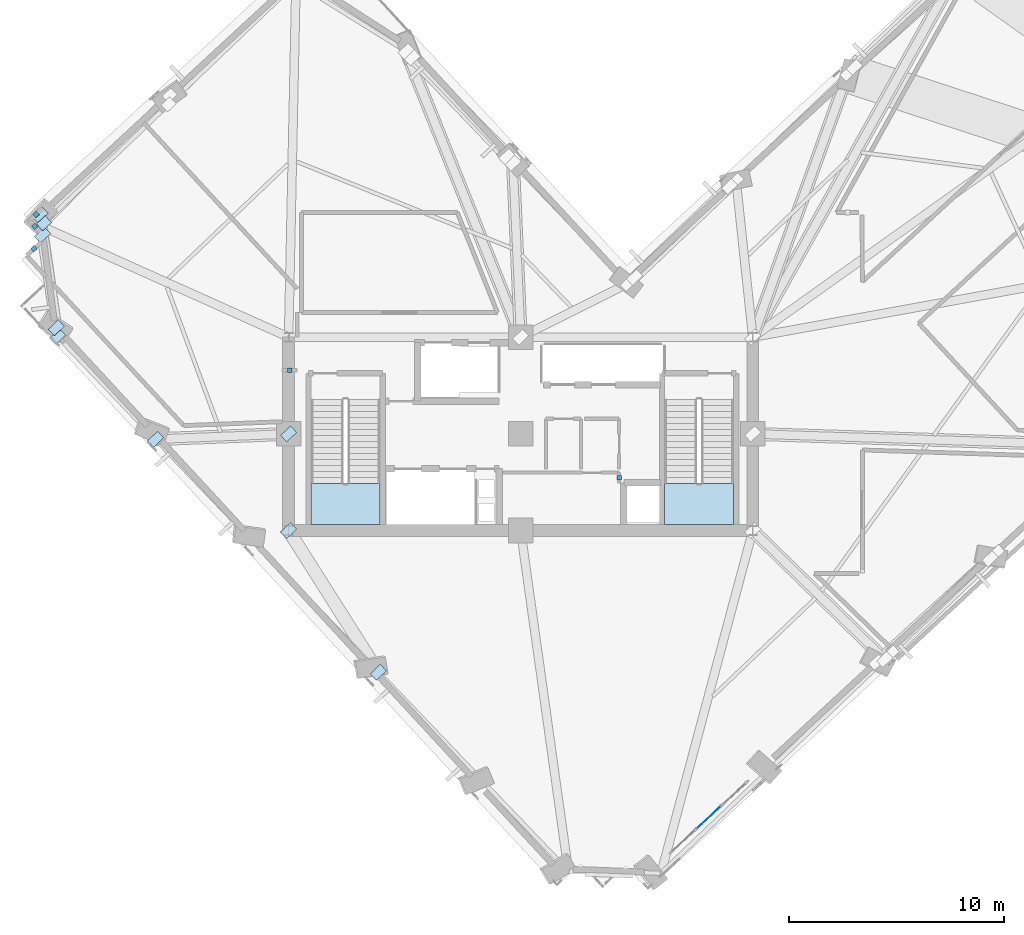
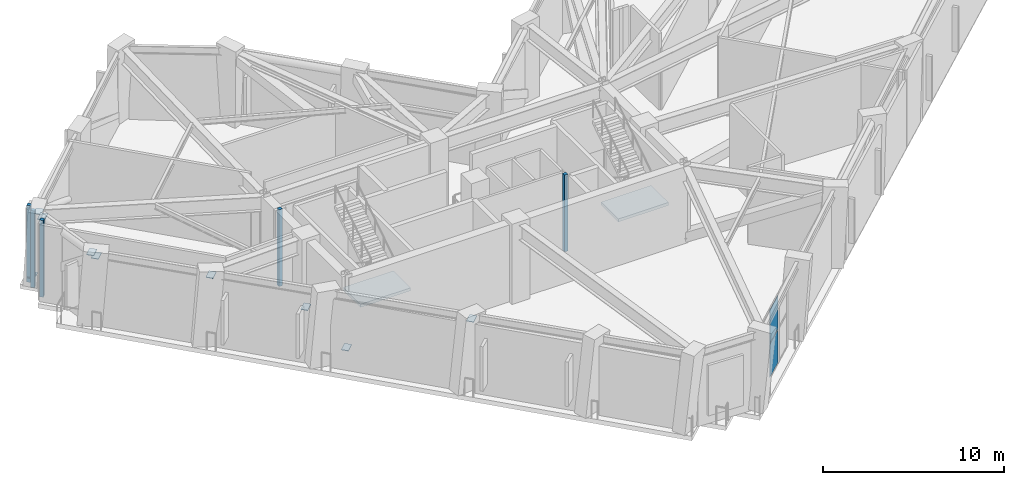
# One storey, part 5 of 15: 16 plates, 2 slabs, 3 elements without a shape of their own.
"""IFC4 building model written with IfcOpenShell, lengths in metres."""

from ifc_helpers import new_model, si_unit, direction, frame, origin, origin_2d, place, context, subcontext, project, spatial, polyline, rectangle, outline, extrude, material, layer, layer_set, type_object, element, aggregate, save


model = new_model("IFC4")

# Units and contexts
model_context = context("Model", 3, precision=1e-05, world=origin(), true_north=direction((0.0, 1.0)))
body_context = subcontext(model_context, "Body", "Model", "MODEL_VIEW")
ifc_project = project(units=[si_unit("LENGTHUNIT", "METRE"), si_unit("AREAUNIT", "SQUARE_METRE"), si_unit("VOLUMEUNIT", "CUBIC_METRE"), si_unit("PLANEANGLEUNIT", "RADIAN"), si_unit("MASSUNIT", "GRAM", prefix="KILO")], contexts=[model_context])

# Site, building, storey
site_placement = place(None, origin())
site = spatial("IfcSite", under=ifc_project, at=site_placement, CompositionType="ELEMENT")
building_placement = place(site_placement, origin())
building = spatial("IfcBuilding", under=site, at=building_placement, Name="Gaonmaruhae Medical Tower", CompositionType="ELEMENT")
storey_placement = place(building_placement, frame((0.0, 0.0, 205.800048828125)))
storey = spatial("IfcBuildingStorey", under=building, at=storey_placement, Name="L49", CompositionType="ELEMENT", Elevation=205.800048828125)

# Curtain wall, plates
ifc_material_1 = material(Name="Anodised aluminium and Low-E double glazing", Category="aluminium")
curtain_wall_type = type_object("IfcCurtainWallType", Name="CW-S2 Express Sky Lobby Feature Curtain Wall", PredefinedType="NOTDEFINED", material=ifc_material_1)
curtain_wall_placement = place(storey_placement, origin())
curtain_wall = element("IfcCurtainWall", 1, at=curtain_wall_placement, inside=storey, type_object=curtain_wall_type, Name="L49 Curtain Wall CW-L49-S01", PredefinedType="NOTDEFINED")
ifc_material_2 = material(Name="Low-E double solar glass", Category="glass")
ifc_layer_1 = layer(ifc_material_2, 0.028076171875)
ifc_layer_set_1 = layer_set([ifc_layer_1], Name="Low-E double solar glass")
plate_type_1 = type_object("IfcPlateType", Name="CWP-V1 Low-E Double Vision Glazing Panel", PredefinedType="CURTAIN_PANEL", material=ifc_layer_set_1)
plate_1_placement = place(storey_placement, frame((33.562744140625, -5.534423828125, 0.06494140625), z_axis=(0.0, 0.0, 1.0), x_axis=(-0.734319744031, -0.678803737119, 0.0)))
plate_1 = element("IfcPlate", 2, at=plate_1_placement, type_object=plate_type_1, Name="CW-S2 panel 2.1", PredefinedType="CURTAIN_PANEL", context=body_context, shape_type="SweptSolid", body=[
    extrude(rectangle(XDim=1.54248046875, YDim=0.028076171875, at=origin_2d()), origin(), (0.0, 0.0, 1.0), 2.235107421875),
])
plate_2_placement = place(storey_placement, frame((33.562744140625, -5.534423828125, 2.36474609375), z_axis=(0.0, 0.0, 1.0), x_axis=(-0.734319744031, -0.678803737119, 0.0)))
plate_2 = element("IfcPlate", 3, at=plate_2_placement, type_object=plate_type_1, Name="CW-S2 panel 2.2", PredefinedType="CURTAIN_PANEL", context=body_context, shape_type="SweptSolid", body=[
    extrude(rectangle(XDim=1.54248046875, YDim=0.028076171875, at=origin_2d()), origin(), (0.0, 0.0, 1.0), 2.235107421875),
])
aggregate(curtain_wall, [plate_1, plate_2])

# Plates
ifc_material_3 = material(Name="Steel HSA650 (650 MPa)", Category="steel")
ifc_layer_2 = layer(ifc_material_3, 0.035888671875)
ifc_layer_set_2 = layer_set([ifc_layer_2], Name="Steel HSA650 (650 MPa)")
plate_type_2 = type_object("IfcPlateType", Name="GP-01 Outrigger Gusset & End Cap Plate", PredefinedType="USERDEFINED", material=ifc_layer_set_2)
for number, where, z_axis, x_axis, name in (
    (4, (14.0, 12.300048828125, 0.33203125), (0.0, 0.0, 1.0), (0.734322509436, 0.678800745533, 0.0), "L49 Gusset Cap Plate PLT-L49-OTD07A"),
    (5, (7.81298828125, 12.052734375, 4.81201171875), (0.0, 0.0, 1.0), (0.72296714591, 0.690882411077, 0.0), "L49 Gusset Cap Plate PLT-L49-OTD07B"),
    (6, (14.0, 7.800048828125, 0.33203125), (0.0, 0.0, 1.0), (0.734322509436, 0.678800745533, 0.0), "L49 Gusset Cap Plate PLT-L49-OTD08A"),
    (7, (18.17626953125, 1.208251953125, 4.81201171875), (0.0, 0.0, 1.0), (0.72296714591, 0.690882411077, 0.0), "L49 Gusset Cap Plate PLT-L49-OTD08B"),
    (8, (2.443115234375, 22.48583984375, 0.33203125), (0.0, 0.0, 1.0), (0.734322509436, 0.678800745533, 0.0), "L49 Gusset Cap Plate PLT-L49-BTD07A"),
    (9, (3.253173828125, 16.824462890625, 4.81201171875), (0.0, 0.0, 1.0), (0.72296714591, 0.690882411077, 0.0), "L49 Gusset Cap Plate PLT-L49-BTD07B"),
    (10, (2.5478515625, 21.55419921875, 4.81201171875), (0.0, 0.0, 1.0), (0.72296714591, 0.690882411077, 0.0), "L49 Gusset Cap Plate PLT-L49-BTC07A"),
    (11, (3.191162109375, 17.23974609375, 4.81201171875), (0.0, 0.0, 1.0), (0.72296714591, 0.690882411077, 0.0), "L49 Gusset Cap Plate PLT-L49-BTC07B"),
):
    element("IfcPlate", number, at=place(storey_placement, frame(where, z_axis=z_axis, x_axis=x_axis)), inside=storey, type_object=plate_type_2, Name=name, ObjectType="GUSSET_PLATE", PredefinedType="USERDEFINED", context=body_context, shape_type="SweptSolid", body=[
        extrude(rectangle(XDim=0.64990234375, YDim=0.419921875, at=origin_2d()), origin(), (0.0, 0.0, 1.0), 0.035888671875),
    ])
ifc_layer_3 = layer(ifc_material_3, 0.028076171875)
ifc_layer_set_3 = layer_set([ifc_layer_3], Name="Steel HSA650 (650 MPa)")
plate_type_3 = type_object("IfcPlateType", Name="GP-02 Tube Brace End Cap Gusset Plate", PredefinedType="USERDEFINED", material=ifc_layer_set_3)
plate_3_placement = place(storey_placement, frame((2.62109375, 22.107177734375, 4.81005859375), z_axis=(0.0, 0.0, 1.0), x_axis=(0.72296714591, 0.690882411077, 0.0)))
element("IfcPlate", 12, at=plate_3_placement, inside=storey, type_object=plate_type_3, Name="L49 Gusset Cap Plate PLT-L49-PBR-N02B", ObjectType="GUSSET_PLATE", PredefinedType="USERDEFINED", context=body_context, shape_type="SweptSolid", body=[
    extrude(rectangle(XDim=0.56005859375, YDim=0.43994140625, at=origin_2d()), origin(), (0.0, 0.0, 1.0), 0.028076171875),
])
ifc_material_4 = material(Name="Anodised aluminium 6063-T6", Category="aluminium")
ifc_layer_4 = layer(ifc_material_4, 0.011962890625)
ifc_layer_set_4 = layer_set([ifc_layer_4], Name="Anodised aluminium 6063-T6")
plate_type_4 = type_object("IfcPlateType", Name="PP-01 Interior Partition Corner Stiffener Plate", PredefinedType="SHEET", material=ifc_layer_set_4)
for number, where, z_axis, x_axis, name in (
    (13, (29.3798828125, 10.260009765625, 0.0), (0.0, 0.0, 1.0), (0.0, -1.0, 0.0), "L49 Partition Corner Stiffener Plate PLT-L49-JGP-PW002"),
    (14, (2.24658203125, 22.509033203125, 0.0), (0.0, 0.0, 1.0), (0.73444097133, 0.678672571739, 0.0), "L49 Partition Corner Stiffener Plate PLT-L49-JGP-PW053"),
    (15, (14.050537109375, 15.260009765625, 0.0), (0.0, 0.0, 1.0), (-1.0, 0.0, 0.0), "L49 Partition Corner Stiffener Plate PLT-L49-JGP-PW056"),
    (16, (2.1474609375, 20.9189453125, 0.0), (0.0, 0.0, 1.0), (0.733741722879, 0.679428498156, 0.0), "L49 Partition Corner Stiffener Plate PLT-L49-JGP-PW060"),
    (17, (2.18505859375, 21.955078125, 0.0), (0.0, 0.0, 1.0), (-0.679185142834, 0.733966989553, 0.0), "L49 Partition Corner Stiffener Plate PLT-L49-JGP-PW061"),
):
    element("IfcPlate", number, at=place(storey_placement, frame(where, z_axis=z_axis, x_axis=x_axis)), inside=storey, type_object=plate_type_4, Name=name, PredefinedType="SHEET", context=body_context, shape_type="SweptSolid", body=[
        extrude(rectangle(XDim=0.219970703125, YDim=0.219970703125, at=origin_2d()), origin(), (0.0, 0.0, 1.0), 5.179931640625),
    ])

# Stair, slab
ifc_material_5 = material(Name="Concrete C40/50", Category="concrete")
stair_type = type_object("IfcStairType", Name="ST-T1 Primary Core Escape Dogleg Stair", PredefinedType="TWO_QUARTER_TURN_STAIR", material=ifc_material_5)
stair_1_placement = place(storey_placement, origin())
stair_1 = element("IfcStair", 18, at=stair_1_placement, inside=storey, type_object=stair_type, Name="L49 Protected Escape Stair ST-01", PredefinedType="TWO_QUARTER_TURN_STAIR")
ifc_layer_5 = layer(ifc_material_5, 0.199951171875)
ifc_layer_set_5 = layer_set([ifc_layer_5], Name="Concrete C40/50")
slab_type = type_object("IfcSlabType", Name="SL-200 Stair & Ramp Intermediate Concrete Landing", PredefinedType="LANDING", material=ifc_layer_set_5)
slab_1_placement = place(storey_placement, frame((0.0, 0.0, 2.5)))
slab_1 = element("IfcSlab", 19, at=slab_1_placement, type_object=slab_type, Name="ST-01 landing 1", PredefinedType="LANDING", context=body_context, shape_type="SweptSolid", body=[
    extrude(outline(polyline([(15.050048828125, 9.97998046875), (15.050048828125, 8.0791015625), (18.25, 8.0791015625), (18.25, 9.97998046875), (15.050048828125, 9.97998046875)])), origin(), (0.0, 0.0, 1.0), 0.199951171875),
])
aggregate(stair_1, [slab_1])

stair_2_placement = place(storey_placement, origin())
stair_2 = element("IfcStair", 20, at=stair_2_placement, inside=storey, type_object=stair_type, Name="L49 Protected Escape Stair ST-02", PredefinedType="TWO_QUARTER_TURN_STAIR")
slab_2_placement = place(storey_placement, frame((0.0, 0.0, 2.5)))
slab_2 = element("IfcSlab", 21, at=slab_2_placement, type_object=slab_type, Name="ST-02 landing 1", PredefinedType="LANDING", context=body_context, shape_type="SweptSolid", body=[
    extrude(outline(polyline([(31.5, 9.97998046875), (31.5, 8.0791015625), (34.699951171875, 8.0791015625), (34.699951171875, 9.97998046875), (31.5, 9.97998046875)])), origin(), (0.0, 0.0, 1.0), 0.199951171875),
])
aggregate(stair_2, [slab_2])

save(model, "model.ifc")
